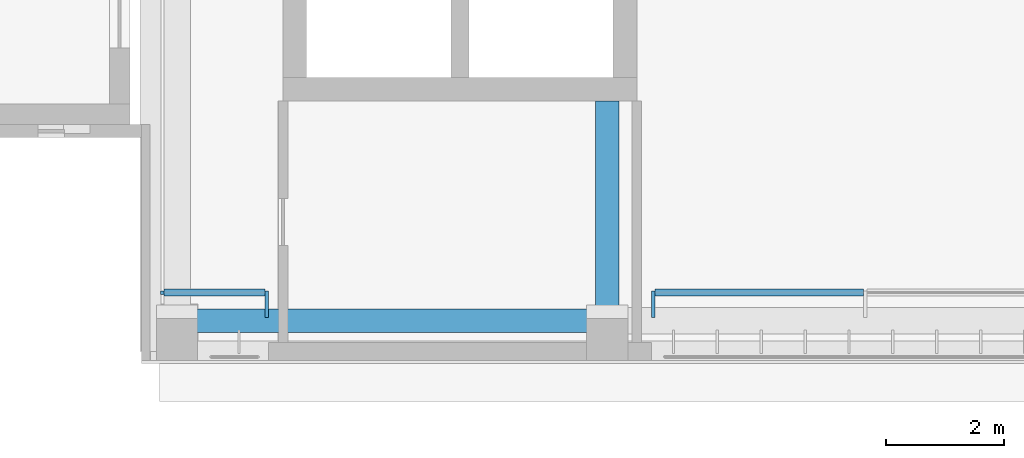
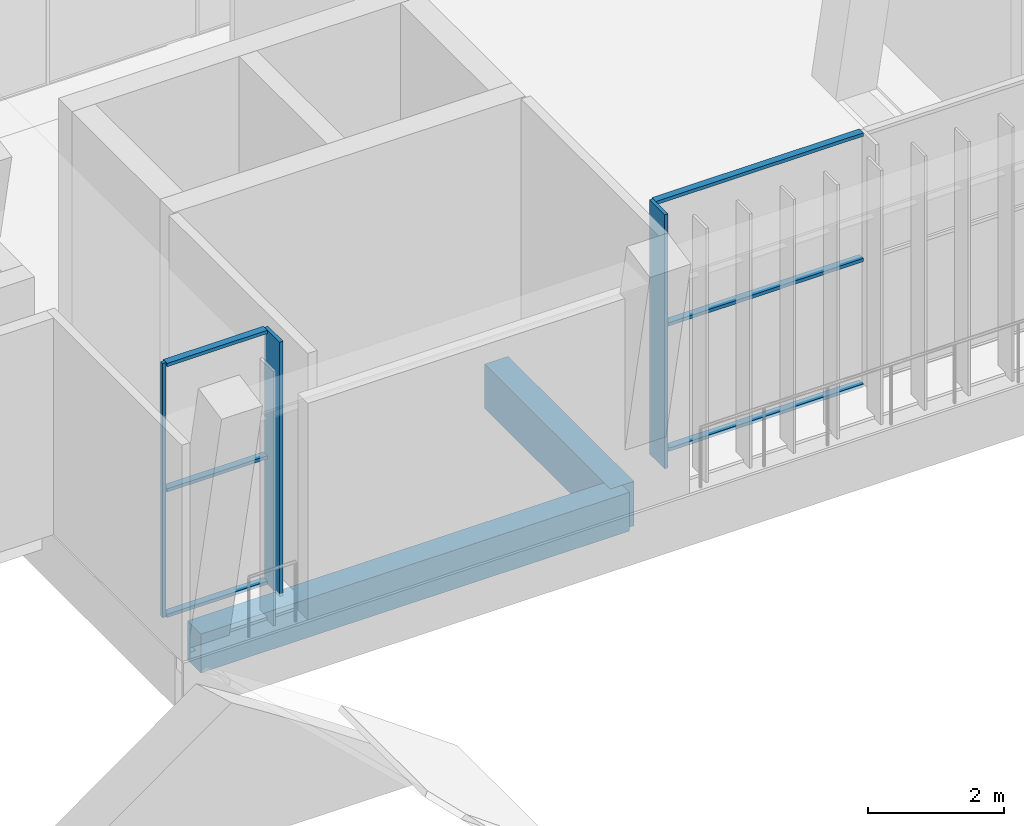
# One storey, part 2 of 74: 9 members, 2 beams, 2 elements without a shape of their own.
"""IFC4 building model written with IfcOpenShell, lengths in metres."""

from ifc_helpers import new_model, si_unit, direction, frame, origin, origin_2d, place, context, subcontext, project, spatial, rectangle, extrude, material, material_profile, profile_set, type_object, element, aggregate, save


model = new_model("IFC4")

# Units and contexts
model_context = context("Model", 3, precision=1e-05, world=origin(), true_north=direction((0.0, 1.0)))
body_context = subcontext(model_context, "Body", "Model", "MODEL_VIEW")
ifc_project = project(units=[si_unit("LENGTHUNIT", "METRE"), si_unit("AREAUNIT", "SQUARE_METRE"), si_unit("VOLUMEUNIT", "CUBIC_METRE"), si_unit("PLANEANGLEUNIT", "RADIAN"), si_unit("MASSUNIT", "GRAM", prefix="KILO")], contexts=[model_context])

# Site, building, storey
site_placement = place(None, origin())
site = spatial("IfcSite", under=ifc_project, at=site_placement, CompositionType="ELEMENT")
building_placement = place(site_placement, origin())
building = spatial("IfcBuilding", under=site, at=building_placement, Name="Lantern Court Media Centre", CompositionType="ELEMENT")
storey_placement = place(building_placement, frame((0.0, 0.0, 19.199951171875)))
storey = spatial("IfcBuildingStorey", under=building, at=storey_placement, Name="L04", CompositionType="ELEMENT", Elevation=19.199951171875)

# Curtain wall, member
ifc_material_1 = material(Name="Curtain wall bay 3000")
curtain_wall_type = type_object("IfcCurtainWallType", Name="Curtain wall bay 3000", PredefinedType="NOTDEFINED", material=ifc_material_1)
curtain_wall_1_placement = place(storey_placement, origin())
curtain_wall_1 = element("IfcCurtainWall", 1, at=curtain_wall_1_placement, inside=storey, type_object=curtain_wall_type, Name="Curtain wall S outer L04", PredefinedType="NOTDEFINED")
ifc_material_2 = material(Name="Anodised aluminium", Category="aluminium")
ifc_material_profile_1 = material_profile(ifc_material_2, rectangle(XDim=0.449951171875, YDim=0.06005859375, at=origin_2d()), Name="AL 60x450")
ifc_profile_set_1 = profile_set([ifc_material_profile_1], Name="Anodised aluminium")
member_type_1 = type_object("IfcMemberType", Name="Curtain wall mullion 60x450", PredefinedType="MULLION", material=ifc_profile_set_1)
member_1_placement = place(storey_placement, frame((26.219970703125, 44.955078125, 0.0), z_axis=(0.0, 0.0, 1.0), x_axis=(0.0, 1.0, 0.0)))
member_1 = element("IfcMember", 2, at=member_1_placement, type_object=member_type_1, Name="CW1 mullion 2", PredefinedType="MULLION", context=body_context, shape_type="SweptSolid", body=[
    extrude(rectangle(XDim=0.449951171875, YDim=0.06005859375, at=origin_2d()), origin(), (0.0, 0.0, 1.0), 4.580078125),
])

curtain_wall_2_placement = place(storey_placement, origin())
curtain_wall_2 = element("IfcCurtainWall", 3, at=curtain_wall_2_placement, inside=storey, type_object=curtain_wall_type, Name="Curtain wall S outer L04", PredefinedType="NOTDEFINED")
member_2_placement = place(storey_placement, frame((32.780029296875, 44.955078125, 0.0), z_axis=(0.0, 0.0, 1.0), x_axis=(0.0, 1.0, 0.0)))
member_2 = element("IfcMember", 4, at=member_2_placement, type_object=member_type_1, Name="CW1 mullion 1", PredefinedType="MULLION", context=body_context, shape_type="SweptSolid", body=[
    extrude(rectangle(XDim=0.449951171875, YDim=0.06005859375, at=origin_2d()), origin(), (0.0, 0.0, 1.0), 4.580078125),
])

# Member
ifc_material_profile_2 = material_profile(ifc_material_2, rectangle(XDim=0.06005859375, YDim=0.06005859375, at=origin_2d()), Name="AL 60x60")
ifc_profile_set_2 = profile_set([ifc_material_profile_2], Name="Anodised aluminium")
member_type_2 = type_object("IfcMemberType", Name="Curtain wall mullion 60x60", PredefinedType="MULLION", material=ifc_profile_set_2)
member_3_placement = place(storey_placement, frame((24.449951171875, 45.14990234375, 0.0), z_axis=(0.0, 0.0, 1.0), x_axis=(0.0, 1.0, 0.0)))
member_3 = element("IfcMember", 5, at=member_3_placement, type_object=member_type_2, Name="CW1 mullion 1", PredefinedType="MULLION", context=body_context, shape_type="SweptSolid", body=[
    extrude(rectangle(XDim=0.06005859375, YDim=0.06005859375, at=origin_2d()), origin(), (0.0, 0.0, 1.0), 4.580078125),
])

ifc_material_profile_3 = material_profile(ifc_material_2, rectangle(XDim=0.1201171875, YDim=0.06005859375, at=origin_2d()), Name="AL 60x120")
ifc_profile_set_3 = profile_set([ifc_material_profile_3], Name="Anodised aluminium")
member_type_3 = type_object("IfcMemberType", Name="Curtain wall transom 60x120", PredefinedType="USERDEFINED", material=ifc_profile_set_3)
member_4_placement = place(storey_placement, frame((24.47998046875, 45.14990234375, 0.030029296875), z_axis=(1.0, 0.0, 0.0), x_axis=(0.0, 1.0, 0.0)))
member_4 = element("IfcMember", 6, at=member_4_placement, type_object=member_type_3, Name="CW1 transom 1.1", ObjectType="TRANSOM", PredefinedType="USERDEFINED", context=body_context, shape_type="SweptSolid", body=[
    extrude(rectangle(XDim=0.1201171875, YDim=0.06005859375, at=origin_2d()), origin(), (0.0, 0.0, 1.0), 1.7099609375),
])

member_5_placement = place(storey_placement, frame((24.47998046875, 45.14990234375, 2.2900390625), z_axis=(1.0, 0.0, 0.0), x_axis=(0.0, 1.0, 0.0)))
member_5 = element("IfcMember", 7, at=member_5_placement, type_object=member_type_3, Name="CW1 transom 1.2", ObjectType="TRANSOM", PredefinedType="USERDEFINED", context=body_context, shape_type="SweptSolid", body=[
    extrude(rectangle(XDim=0.1201171875, YDim=0.06005859375, at=origin_2d()), origin(), (0.0, 0.0, 1.0), 1.7099609375),
])

member_6_placement = place(storey_placement, frame((24.47998046875, 45.14990234375, 4.550048828125), z_axis=(1.0, 0.0, 0.0), x_axis=(0.0, 1.0, 0.0)))
member_6 = element("IfcMember", 8, at=member_6_placement, type_object=member_type_3, Name="CW1 transom 1.3", ObjectType="TRANSOM", PredefinedType="USERDEFINED", context=body_context, shape_type="SweptSolid", body=[
    extrude(rectangle(XDim=0.1201171875, YDim=0.06005859375, at=origin_2d()), origin(), (0.0, 0.0, 1.0), 1.7099609375),
])

aggregate(curtain_wall_1, [member_3, member_1, member_4, member_5, member_6])

member_7_placement = place(storey_placement, frame((32.81005859375, 45.14990234375, 0.030029296875), z_axis=(1.0, 0.0, 0.0), x_axis=(0.0, 1.0, 0.0)))
member_7 = element("IfcMember", 9, at=member_7_placement, type_object=member_type_3, Name="CW1 transom 1.1", ObjectType="TRANSOM", PredefinedType="USERDEFINED", context=body_context, shape_type="SweptSolid", body=[
    extrude(rectangle(XDim=0.1201171875, YDim=0.06005859375, at=origin_2d()), origin(), (0.0, 0.0, 1.0), 3.534912109375),
])

member_8_placement = place(storey_placement, frame((32.81005859375, 45.14990234375, 2.2900390625), z_axis=(1.0, 0.0, 0.0), x_axis=(0.0, 1.0, 0.0)))
member_8 = element("IfcMember", 10, at=member_8_placement, type_object=member_type_3, Name="CW1 transom 1.2", ObjectType="TRANSOM", PredefinedType="USERDEFINED", context=body_context, shape_type="SweptSolid", body=[
    extrude(rectangle(XDim=0.1201171875, YDim=0.06005859375, at=origin_2d()), origin(), (0.0, 0.0, 1.0), 3.534912109375),
])

member_9_placement = place(storey_placement, frame((32.81005859375, 45.14990234375, 4.550048828125), z_axis=(1.0, 0.0, 0.0), x_axis=(0.0, 1.0, 0.0)))
member_9 = element("IfcMember", 11, at=member_9_placement, type_object=member_type_3, Name="CW1 transom 1.3", ObjectType="TRANSOM", PredefinedType="USERDEFINED", context=body_context, shape_type="SweptSolid", body=[
    extrude(rectangle(XDim=0.1201171875, YDim=0.06005859375, at=origin_2d()), origin(), (0.0, 0.0, 1.0), 3.534912109375),
])

aggregate(curtain_wall_2, [member_2, member_7, member_8, member_9])

# Beams
ifc_material_3 = material(Name="Concrete C35", Category="concrete")
ifc_material_profile_4 = material_profile(ifc_material_3, rectangle(XDim=0.39990234375, YDim=0.699951171875, at=origin_2d()), Name="RC 400x700")
ifc_profile_set_4 = profile_set([ifc_material_profile_4], Name="Concrete C35")
beam_type_1 = type_object("IfcBeamType", Name="RC BEAM 400x700", PredefinedType="BEAM", material=ifc_profile_set_4)
beam_1_placement = place(storey_placement, frame((24.699951171875, 44.6728515625, -0.349853515625), z_axis=(1.0, 0.0, 0.0), x_axis=(0.0, 1.0, 0.0)))
element("IfcBeam", 12, at=beam_1_placement, inside=storey, type_object=beam_type_1, Name="LB-S-L04-0-0", PredefinedType="BEAM", context=body_context, shape_type="SweptSolid", body=[
    extrude(rectangle(XDim=0.39990234375, YDim=0.699951171875, at=origin_2d()), origin(), (0.0, 0.0, 1.0), 7.300048828125),
])
ifc_material_profile_5 = material_profile(ifc_material_3, rectangle(XDim=0.39990234375, YDim=0.800048828125, at=origin_2d()), Name="RC 400x800")
ifc_profile_set_5 = profile_set([ifc_material_profile_5], Name="Concrete C35")
beam_type_2 = type_object("IfcBeamType", Name="RC BEAM 400x800", PredefinedType="BEAM", material=ifc_profile_set_5)
beam_2_placement = place(storey_placement, frame((32.0, 44.683349609375, -0.39990234375), z_axis=(0.0, 1.0, 0.0), x_axis=(-1.0, 0.0, 0.0)))
element("IfcBeam", 13, at=beam_2_placement, inside=storey, type_object=beam_type_2, Name="TB-S-L04-1-1", PredefinedType="BEAM", context=body_context, shape_type="SweptSolid", body=[
    extrude(rectangle(XDim=0.39990234375, YDim=0.800048828125, at=origin_2d()), origin(), (0.0, 0.0, 1.0), 3.716552734375),
])

save(model, "model.ifc")
